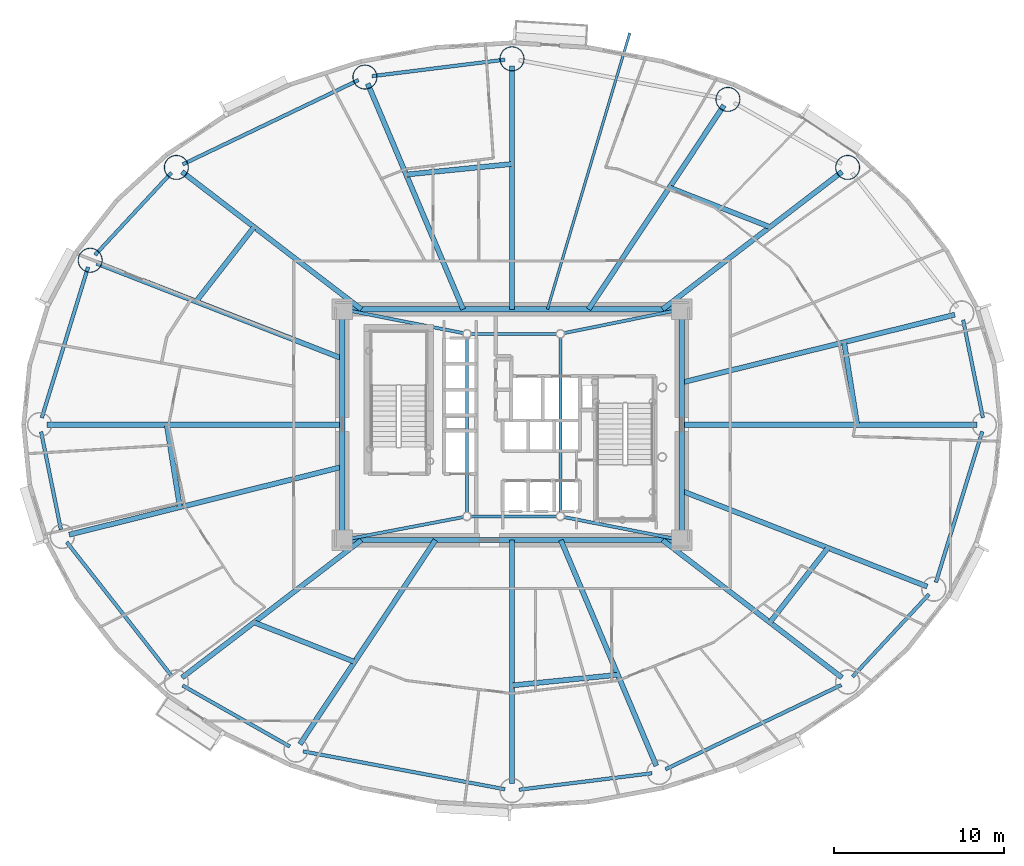
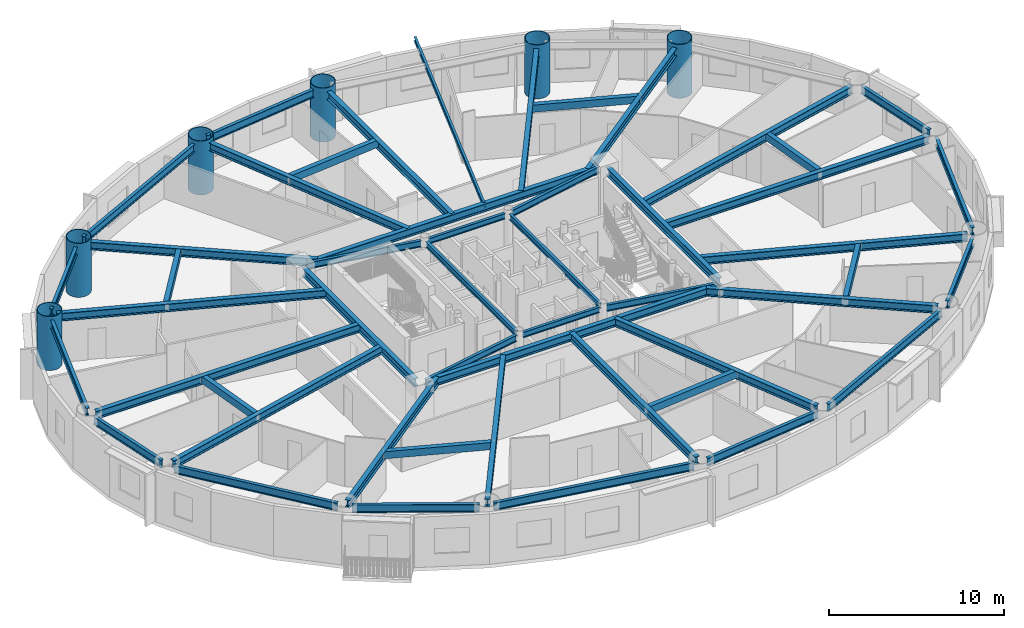
# One storey, part 3 of 22: 50 beams, 6 columns.
"""IFC4 building model written with IfcOpenShell, lengths in metres."""

from ifc_helpers import new_model, si_unit, direction, frame, origin, origin_2d, place, context, subcontext, project, spatial, hollow_rectangle, hollow_circle, i_section, extrude, material, material_profile, profile_set, type_object, element, save


model = new_model("IFC4")

# Units and contexts
model_context = context("Model", 3, precision=1e-05, world=origin(), true_north=direction((0.0, 1.0)))
body_context = subcontext(model_context, "Body", "Model", "MODEL_VIEW")
ifc_project = project(units=[si_unit("LENGTHUNIT", "METRE"), si_unit("AREAUNIT", "SQUARE_METRE"), si_unit("VOLUMEUNIT", "CUBIC_METRE"), si_unit("PLANEANGLEUNIT", "RADIAN"), si_unit("MASSUNIT", "GRAM", prefix="KILO")], contexts=[model_context])

# Site, building, storey
site_placement = place(None, origin())
site = spatial("IfcSite", under=ifc_project, at=site_placement, CompositionType="ELEMENT")
building_placement = place(site_placement, origin())
building = spatial("IfcBuilding", under=site, at=building_placement, Name="Linh Dai School and Residence Tower", CompositionType="ELEMENT")
storey_placement = place(building_placement, frame((0.0, 0.0, 130.949951171875)))
storey = spatial("IfcBuildingStorey", under=building, at=storey_placement, Name="L31", CompositionType="ELEMENT", Elevation=130.949951171875)

# Columns
ifc_material = material(Name="Structural Steel S355JR", Category="steel")
ifc_material_profile_1 = material_profile(ifc_material, hollow_circle(Radius=0.72509765625, WallThickness=0.0419921875, at=origin_2d()), Name="CHS 1450x42")
ifc_profile_set_1 = profile_set([ifc_material_profile_1], Name="Structural Steel S355JR")
column_type = type_object("IfcColumnType", Name="COL-MC3", PredefinedType="COLUMN", material=ifc_profile_set_1)
for number, where, z_axis, x_axis, name in (
    (1, (55.772705078125, 42.155517578125, 0.0), (0.0, 0.0, 1.0), (1.0, 0.0, 0.0), "L31 Perimeter CFT Mega-Column MC03"),
    (2, (48.721923828125, 46.1650390625, 0.0), (0.0, 0.0, 1.0), (1.0, 0.0, 0.0), "L31 Perimeter CFT Mega-Column MC04"),
    (3, (36.0, 48.554931640625, 0.0), (0.0, 0.0, 1.0), (1.0, 0.0, 0.0), "L31 Perimeter CFT Mega-Column MC05"),
    (4, (27.33447265625, 47.480712890625, 0.0), (0.0, 0.0, 1.0), (1.0, 0.0, 0.0), "L31 Perimeter CFT Mega-Column MC06"),
    (5, (16.227294921875, 42.155517578125, 0.0), (0.0, 0.0, 1.0), (1.0, 0.0, 0.0), "L31 Perimeter CFT Mega-Column MC07"),
    (6, (11.15087890625, 36.6875, 0.0), (0.0, 0.0, 1.0), (1.0, 0.0, 0.0), "L31 Perimeter CFT Mega-Column MC08"),
):
    element("IfcColumn", number, at=place(storey_placement, frame(where, z_axis=z_axis, x_axis=x_axis)), inside=storey, type_object=column_type, Name=name, PredefinedType="COLUMN", context=body_context, shape_type="SweptSolid", body=[
        extrude(hollow_circle(Radius=0.72509765625, WallThickness=0.0419921875, at=origin_2d()), origin(), (0.0, 0.0, 1.0), 3.75),
    ])

# Beams
ifc_material_profile_2 = material_profile(ifc_material, i_section(OverallWidth=0.14990234375, OverallDepth=0.300048828125, WebThickness=0.007080078125, FlangeThickness=0.0107421875, at=origin_2d()), Name="IPE 300")
ifc_profile_set_2 = profile_set([ifc_material_profile_2], Name="Structural Steel S355JR")
beam_type_1 = type_object("IfcBeamType", Name="BM-BALC-CANT", PredefinedType="BEAM", material=ifc_profile_set_2)
beam_1_placement = place(storey_placement, frame((38.08935546875, 33.800048828125, 3.35009765625), z_axis=(0.285602713269, 0.958348104904, 0.0), x_axis=(-0.958348104904, 0.285602713269, 0.0)))
element("IfcBeam", 7, at=beam_1_placement, inside=storey, type_object=beam_type_1, Name="L32 Balcony Continuous Cantilever Beam 09", PredefinedType="BEAM", context=body_context, shape_type="SweptSolid", body=[
    extrude(i_section(OverallWidth=0.14990234375, OverallDepth=0.300048828125, WebThickness=0.007080078125, FlangeThickness=0.0107421875, at=origin_2d()), origin(), (0.0, 0.0, 1.0), 16.984619140625),
])
ifc_material_profile_3 = material_profile(ifc_material, hollow_rectangle(XDim=0.300048828125, YDim=0.5, WallThickness=0.01611328125, at=origin_2d()), Name="RHS 500x300x16")
ifc_profile_set_3 = profile_set([ifc_material_profile_3], Name="Structural Steel S355JR")
beam_type_2 = type_object("IfcBeamType", Name="BM-BX5", PredefinedType="BEAM", material=ifc_profile_set_3)
beam_2_placement = place(storey_placement, frame((56.337646484375, 27.0048828125, 3.25), z_axis=(-0.157026901302, 0.987594325757, 0.0), x_axis=(-0.987594325757, -0.157026901302, 0.0)))
element("IfcBeam", 8, at=beam_2_placement, inside=storey, type_object=beam_type_2, Name="L31 Secondary Circumferential Floor Beam 01", PredefinedType="BEAM", context=body_context, shape_type="SweptSolid", body=[
    extrude(hollow_rectangle(XDim=0.300048828125, YDim=0.5, WallThickness=0.01611328125, at=origin_2d()), origin(), (0.0, 0.0, 1.0), 4.91162109375),
])
beam_3_placement = place(storey_placement, frame((51.189453125, 38.64794921875, 3.25), z_axis=(-0.930742146732, 0.365676163151, 0.0), x_axis=(-0.365676163151, -0.930742146732, 0.0)))
element("IfcBeam", 9, at=beam_3_placement, inside=storey, type_object=beam_type_2, Name="L31 Secondary Circumferential Floor Beam 02", PredefinedType="BEAM", context=body_context, shape_type="SweptSolid", body=[
    extrude(hollow_rectangle(XDim=0.300048828125, YDim=0.5, WallThickness=0.01611328125, at=origin_2d()), origin(), (0.0, 0.0, 1.0), 6.349853515625),
])
beam_4_placement = place(storey_placement, frame((35.9951171875, 42.357421875, 3.25), z_axis=(-0.995043370853, -0.099441893196, 0.0), x_axis=(0.099441893196, -0.995043370853, 0.0)))
element("IfcBeam", 10, at=beam_4_placement, inside=storey, type_object=beam_type_2, Name="L31 Secondary Circumferential Floor Beam 03", PredefinedType="BEAM", context=body_context, shape_type="SweptSolid", body=[
    extrude(hollow_rectangle(XDim=0.300048828125, YDim=0.5, WallThickness=0.01611328125, at=origin_2d()), origin(), (0.0, 0.0, 1.0), 6.255615234375),
])
beam_5_placement = place(storey_placement, frame((20.802734375, 38.64208984375, 3.25), z_axis=(-0.614369629322, -0.789018351223, 0.0), x_axis=(0.789018351223, -0.614369629322, 0.0)))
element("IfcBeam", 11, at=beam_5_placement, inside=storey, type_object=beam_type_2, Name="L31 Secondary Circumferential Floor Beam 04", PredefinedType="BEAM", context=body_context, shape_type="SweptSolid", body=[
    extrude(hollow_rectangle(XDim=0.300048828125, YDim=0.5, WallThickness=0.01611328125, at=origin_2d()), origin(), (0.0, 0.0, 1.0), 5.553955078125),
])
beam_6_placement = place(storey_placement, frame((15.662353515625, 26.9951171875, 3.25), z_axis=(0.157026901302, -0.987594325757, 0.0), x_axis=(0.987594325757, 0.157026901302, 0.0)))
element("IfcBeam", 12, at=beam_6_placement, inside=storey, type_object=beam_type_2, Name="L31 Secondary Circumferential Floor Beam 05", PredefinedType="BEAM", context=body_context, shape_type="SweptSolid", body=[
    extrude(hollow_rectangle(XDim=0.300048828125, YDim=0.5, WallThickness=0.01611328125, at=origin_2d()), origin(), (0.0, 0.0, 1.0), 4.91162109375),
])
beam_7_placement = place(storey_placement, frame((20.810546875, 15.35205078125, 3.25), z_axis=(0.930742146732, -0.365676163151, 0.0), x_axis=(0.365676163151, 0.930742146732, 0.0)))
element("IfcBeam", 13, at=beam_7_placement, inside=storey, type_object=beam_type_2, Name="L31 Secondary Circumferential Floor Beam 06", PredefinedType="BEAM", context=body_context, shape_type="SweptSolid", body=[
    extrude(hollow_rectangle(XDim=0.300048828125, YDim=0.5, WallThickness=0.01611328125, at=origin_2d()), origin(), (0.0, 0.0, 1.0), 6.349853515625),
])
beam_8_placement = place(storey_placement, frame((36.0048828125, 11.642578125, 3.25), z_axis=(0.995043370853, 0.099441893196, 0.0), x_axis=(-0.099441893196, 0.995043370853, 0.0)))
element("IfcBeam", 14, at=beam_8_placement, inside=storey, type_object=beam_type_2, Name="L31 Secondary Circumferential Floor Beam 07", PredefinedType="BEAM", context=body_context, shape_type="SweptSolid", body=[
    extrude(hollow_rectangle(XDim=0.300048828125, YDim=0.5, WallThickness=0.01611328125, at=origin_2d()), origin(), (0.0, 0.0, 1.0), 6.255615234375),
])
beam_9_placement = place(storey_placement, frame((51.197265625, 15.35791015625, 3.25), z_axis=(0.614369629322, 0.789018351223, 0.0), x_axis=(-0.789018351223, 0.614369629322, 0.0)))
element("IfcBeam", 15, at=beam_9_placement, inside=storey, type_object=beam_type_2, Name="L31 Secondary Circumferential Floor Beam 08", PredefinedType="BEAM", context=body_context, shape_type="SweptSolid", body=[
    extrude(hollow_rectangle(XDim=0.300048828125, YDim=0.5, WallThickness=0.01611328125, at=origin_2d()), origin(), (0.0, 0.0, 1.0), 5.553955078125),
])
ifc_material_profile_4 = material_profile(ifc_material, i_section(OverallWidth=0.2099609375, OverallDepth=0.550048828125, WebThickness=0.010986328125, FlangeThickness=0.01708984375, FilletRadius=0.02392578125, at=origin_2d()), Name="IPE 550")
ifc_profile_set_4 = profile_set([ifc_material_profile_4], Name="Structural Steel S355JR")
beam_type_3 = type_object("IfcBeamType", Name="BM-RB55", PredefinedType="BEAM", material=ifc_profile_set_4)
beam_10_placement = place(storey_placement, frame((63.74169921875, 27.41162109375, 3.22509765625), z_axis=(-0.198441254313, 0.980112783605, 0.0), x_axis=(-0.980112783605, -0.198441254313, 0.0)))
element("IfcBeam", 16, at=beam_10_placement, inside=storey, type_object=beam_type_3, Name="L31 Perimeter Elliptical Ring Beam 01", PredefinedType="BEAM", context=body_context, shape_type="SweptSolid", body=[
    extrude(i_section(OverallWidth=0.2099609375, OverallDepth=0.550048828125, WebThickness=0.010986328125, FlangeThickness=0.01708984375, FilletRadius=0.02392578125, at=origin_2d()), origin(), (0.0, 0.0, 1.0), 5.874755859375),
])
beam_11_placement = place(storey_placement, frame((35.583251953125, 48.50341796875, 3.22509765625), z_axis=(-0.992399234854, -0.123059979933, 0.0), x_axis=(0.123059979933, -0.992399234854, 0.0)))
element("IfcBeam", 17, at=beam_11_placement, inside=storey, type_object=beam_type_3, Name="L31 Perimeter Elliptical Ring Beam 05", PredefinedType="BEAM", context=body_context, shape_type="SweptSolid", body=[
    extrude(i_section(OverallWidth=0.2099609375, OverallDepth=0.550048828125, WebThickness=0.010986328125, FlangeThickness=0.01708984375, FilletRadius=0.02392578125, at=origin_2d()), origin(), (0.0, 0.0, 1.0), 7.89208984375),
])
beam_12_placement = place(storey_placement, frame((26.955810546875, 47.299072265625, 3.22509765625), z_axis=(-0.901715153312, -0.432330640005, 0.0), x_axis=(0.432330640005, -0.901715153312, 0.0)))
element("IfcBeam", 18, at=beam_12_placement, inside=storey, type_object=beam_type_3, Name="L31 Perimeter Elliptical Ring Beam 06", PredefinedType="BEAM", context=body_context, shape_type="SweptSolid", body=[
    extrude(i_section(OverallWidth=0.2099609375, OverallDepth=0.550048828125, WebThickness=0.010986328125, FlangeThickness=0.01708984375, FilletRadius=0.02392578125, at=origin_2d()), origin(), (0.0, 0.0, 1.0), 11.477783203125),
])
beam_13_placement = place(storey_placement, frame((15.941650390625, 41.84765625, 3.22509765625), z_axis=(-0.680384623752, -0.732855213369, 0.0), x_axis=(0.732855213369, -0.680384623752, 0.0)))
element("IfcBeam", 19, at=beam_13_placement, inside=storey, type_object=beam_type_3, Name="L31 Perimeter Elliptical Ring Beam 07", PredefinedType="BEAM", context=body_context, shape_type="SweptSolid", body=[
    extrude(i_section(OverallWidth=0.2099609375, OverallDepth=0.550048828125, WebThickness=0.010986328125, FlangeThickness=0.01708984375, FilletRadius=0.02392578125, at=origin_2d()), origin(), (0.0, 0.0, 1.0), 6.62109375),
])
beam_14_placement = place(storey_placement, frame((11.027587890625, 36.2861328125, 3.22509765625), z_axis=(-0.29364097848, -0.95591577859, 0.0), x_axis=(0.95591577859, -0.29364097848, 0.0)))
element("IfcBeam", 20, at=beam_14_placement, inside=storey, type_object=beam_type_3, Name="L31 Perimeter Elliptical Ring Beam 08", PredefinedType="BEAM", context=body_context, shape_type="SweptSolid", body=[
    extrude(i_section(OverallWidth=0.2099609375, OverallDepth=0.550048828125, WebThickness=0.010986328125, FlangeThickness=0.01708984375, FilletRadius=0.02392578125, at=origin_2d()), origin(), (0.0, 0.0, 1.0), 9.29443359375),
])
beam_15_placement = place(storey_placement, frame((8.25830078125, 26.58837890625, 3.22509765625), z_axis=(0.198441254313, -0.980112783605, 0.0), x_axis=(0.980112783605, 0.198441254313, 0.0)))
element("IfcBeam", 21, at=beam_15_placement, inside=storey, type_object=beam_type_3, Name="L31 Perimeter Elliptical Ring Beam 09", PredefinedType="BEAM", context=body_context, shape_type="SweptSolid", body=[
    extrude(i_section(OverallWidth=0.2099609375, OverallDepth=0.550048828125, WebThickness=0.010986328125, FlangeThickness=0.01708984375, FilletRadius=0.02392578125, at=origin_2d()), origin(), (0.0, 0.0, 1.0), 5.874755859375),
])
beam_16_placement = place(storey_placement, frame((9.766357421875, 20.08837890625, 3.22509765625), z_axis=(0.616854830973, -0.787076945098, 0.0), x_axis=(0.787076945098, 0.616854830973, 0.0)))
element("IfcBeam", 22, at=beam_16_placement, inside=storey, type_object=beam_type_3, Name="L31 Perimeter Elliptical Ring Beam 10", PredefinedType="BEAM", context=body_context, shape_type="SweptSolid", body=[
    extrude(i_section(OverallWidth=0.2099609375, OverallDepth=0.550048828125, WebThickness=0.010986328125, FlangeThickness=0.01708984375, FilletRadius=0.02392578125, at=origin_2d()), origin(), (0.0, 0.0, 1.0), 10.053955078125),
])
beam_17_placement = place(storey_placement, frame((16.592529296875, 11.636962890625, 3.22509765625), z_axis=(0.86927031475, -0.494337050902, 0.0), x_axis=(0.494337050902, 0.86927031475, 0.0)))
element("IfcBeam", 23, at=beam_17_placement, inside=storey, type_object=beam_type_3, Name="L31 Perimeter Elliptical Ring Beam 11", PredefinedType="BEAM", context=body_context, shape_type="SweptSolid", body=[
    extrude(i_section(OverallWidth=0.2099609375, OverallDepth=0.550048828125, WebThickness=0.010986328125, FlangeThickness=0.01708984375, FilletRadius=0.02392578125, at=origin_2d()), origin(), (0.0, 0.0, 1.0), 7.270751953125),
])
beam_18_placement = place(storey_placement, frame((23.69091796875, 7.75732421875, 3.22509765625), z_axis=(0.982807507457, -0.184633158685, 0.0), x_axis=(0.184633158685, 0.982807507457, 0.0)))
element("IfcBeam", 24, at=beam_18_placement, inside=storey, type_object=beam_type_3, Name="L31 Perimeter Elliptical Ring Beam 12", PredefinedType="BEAM", context=body_context, shape_type="SweptSolid", body=[
    extrude(i_section(OverallWidth=0.2099609375, OverallDepth=0.550048828125, WebThickness=0.010986328125, FlangeThickness=0.01708984375, FilletRadius=0.02392578125, at=origin_2d()), origin(), (0.0, 0.0, 1.0), 12.104248046875),
])
beam_19_placement = place(storey_placement, frame((36.416748046875, 5.49658203125, 3.22509765625), z_axis=(0.992399234854, 0.123059979933, 0.0), x_axis=(-0.123059979933, 0.992399234854, 0.0)))
element("IfcBeam", 25, at=beam_19_placement, inside=storey, type_object=beam_type_3, Name="L31 Perimeter Elliptical Ring Beam 13", PredefinedType="BEAM", context=body_context, shape_type="SweptSolid", body=[
    extrude(i_section(OverallWidth=0.2099609375, OverallDepth=0.550048828125, WebThickness=0.010986328125, FlangeThickness=0.01708984375, FilletRadius=0.02392578125, at=origin_2d()), origin(), (0.0, 0.0, 1.0), 7.89208984375),
])
beam_20_placement = place(storey_placement, frame((45.044189453125, 6.700927734375, 3.22509765625), z_axis=(0.901715153312, 0.432330640005, 0.0), x_axis=(-0.432330640005, 0.901715153312, 0.0)))
element("IfcBeam", 26, at=beam_20_placement, inside=storey, type_object=beam_type_3, Name="L31 Perimeter Elliptical Ring Beam 14", PredefinedType="BEAM", context=body_context, shape_type="SweptSolid", body=[
    extrude(i_section(OverallWidth=0.2099609375, OverallDepth=0.550048828125, WebThickness=0.010986328125, FlangeThickness=0.01708984375, FilletRadius=0.02392578125, at=origin_2d()), origin(), (0.0, 0.0, 1.0), 11.477783203125),
])
beam_21_placement = place(storey_placement, frame((56.058349609375, 12.15234375, 3.22509765625), z_axis=(0.680384623752, 0.732855213369, 0.0), x_axis=(-0.732855213369, 0.680384623752, 0.0)))
element("IfcBeam", 27, at=beam_21_placement, inside=storey, type_object=beam_type_3, Name="L31 Perimeter Elliptical Ring Beam 15", PredefinedType="BEAM", context=body_context, shape_type="SweptSolid", body=[
    extrude(i_section(OverallWidth=0.2099609375, OverallDepth=0.550048828125, WebThickness=0.010986328125, FlangeThickness=0.01708984375, FilletRadius=0.02392578125, at=origin_2d()), origin(), (0.0, 0.0, 1.0), 6.62109375),
])
beam_22_placement = place(storey_placement, frame((60.972412109375, 17.7138671875, 3.22509765625), z_axis=(0.29364097848, 0.95591577859, 0.0), x_axis=(-0.95591577859, 0.29364097848, 0.0)))
element("IfcBeam", 28, at=beam_22_placement, inside=storey, type_object=beam_type_3, Name="L31 Perimeter Elliptical Ring Beam 16", PredefinedType="BEAM", context=body_context, shape_type="SweptSolid", body=[
    extrude(i_section(OverallWidth=0.2099609375, OverallDepth=0.550048828125, WebThickness=0.010986328125, FlangeThickness=0.01708984375, FilletRadius=0.02392578125, at=origin_2d()), origin(), (0.0, 0.0, 1.0), 9.29443359375),
])
ifc_material_profile_5 = material_profile(ifc_material, i_section(OverallWidth=0.300048828125, OverallDepth=0.550048828125, WebThickness=0.014892578125, FlangeThickness=0.029052734375, FilletRadius=0.027099609375, at=origin_2d()), Name="HEB 550")
ifc_profile_set_5 = profile_set([ifc_material_profile_5], Name="Structural Steel S355JR")
beam_type_4 = type_object("IfcBeamType", Name="BM-RG55", PredefinedType="BEAM", material=ifc_profile_set_5)
beam_23_placement = place(storey_placement, frame((26.419921875, 20.199951171875, 3.22509765625), z_axis=(1.0, 0.0, 0.0), x_axis=(0.0, 1.0, 0.0)))
element("IfcBeam", 29, at=beam_23_placement, inside=storey, type_object=beam_type_4, Name="L31 Core Perimeter Coupling Girder 1", PredefinedType="BEAM", context=body_context, shape_type="SweptSolid", body=[
    extrude(i_section(OverallWidth=0.300048828125, OverallDepth=0.550048828125, WebThickness=0.014892578125, FlangeThickness=0.029052734375, FilletRadius=0.027099609375, at=origin_2d()), origin(), (0.0, 0.0, 1.0), 19.16015625),
])
beam_24_placement = place(storey_placement, frame((46.0, 20.6201171875, 3.22509765625), z_axis=(0.0, 1.0, 0.0), x_axis=(-1.0, 0.0, 0.0)))
element("IfcBeam", 30, at=beam_24_placement, inside=storey, type_object=beam_type_4, Name="L31 Core Perimeter Coupling Girder 2", PredefinedType="BEAM", context=body_context, shape_type="SweptSolid", body=[
    extrude(i_section(OverallWidth=0.300048828125, OverallDepth=0.550048828125, WebThickness=0.014892578125, FlangeThickness=0.029052734375, FilletRadius=0.027099609375, at=origin_2d()), origin(), (0.0, 0.0, 1.0), 12.759765625),
])
beam_25_placement = place(storey_placement, frame((45.580078125, 33.800048828125, 3.22509765625), z_axis=(-1.0, 0.0, 0.0), x_axis=(0.0, -1.0, 0.0)))
element("IfcBeam", 31, at=beam_25_placement, inside=storey, type_object=beam_type_4, Name="L31 Core Perimeter Coupling Girder 3", PredefinedType="BEAM", context=body_context, shape_type="SweptSolid", body=[
    extrude(i_section(OverallWidth=0.300048828125, OverallDepth=0.550048828125, WebThickness=0.014892578125, FlangeThickness=0.029052734375, FilletRadius=0.027099609375, at=origin_2d()), origin(), (0.0, 0.0, 1.0), 19.16015625),
])
beam_26_placement = place(storey_placement, frame((26.0, 33.3798828125, 3.22509765625), z_axis=(0.0, -1.0, 0.0), x_axis=(1.0, 0.0, 0.0)))
element("IfcBeam", 32, at=beam_26_placement, inside=storey, type_object=beam_type_4, Name="L31 Core Perimeter Coupling Girder 4", PredefinedType="BEAM", context=body_context, shape_type="SweptSolid", body=[
    extrude(i_section(OverallWidth=0.300048828125, OverallDepth=0.550048828125, WebThickness=0.014892578125, FlangeThickness=0.029052734375, FilletRadius=0.027099609375, at=origin_2d()), origin(), (0.0, 0.0, 1.0), 12.759765625),
])
beam_27_placement = place(storey_placement, frame((46.0, 27.0, 3.22509765625), z_axis=(1.0, 0.0, 0.0), x_axis=(0.0, 1.0, 0.0)))
element("IfcBeam", 33, at=beam_27_placement, inside=storey, type_object=beam_type_4, Name="L31 Primary Radial Floor Girder 01", PredefinedType="BEAM", context=body_context, shape_type="SweptSolid", body=[
    extrude(i_section(OverallWidth=0.300048828125, OverallDepth=0.550048828125, WebThickness=0.014892578125, FlangeThickness=0.029052734375, FilletRadius=0.027099609375, at=origin_2d()), origin(), (0.0, 0.0, 1.0), 17.405029296875),
])
beam_28_placement = place(storey_placement, frame((46.0, 29.484130859375, 3.22509765625), z_axis=(0.970505338376, 0.241079630379, 0.0), x_axis=(-0.241079630379, 0.970505338376, 0.0)))
element("IfcBeam", 34, at=beam_28_placement, inside=storey, type_object=beam_type_4, Name="L31 Primary Radial Floor Girder 02", PredefinedType="BEAM", context=body_context, shape_type="SweptSolid", body=[
    extrude(i_section(OverallWidth=0.300048828125, OverallDepth=0.550048828125, WebThickness=0.014892578125, FlangeThickness=0.029052734375, FilletRadius=0.027099609375, at=origin_2d()), origin(), (0.0, 0.0, 1.0), 16.57373046875),
])
beam_29_placement = place(storey_placement, frame((44.87158203125, 33.800048828125, 3.22509765625), z_axis=(0.793678660795, 0.608337228352, 0.0), x_axis=(-0.608337228352, 0.793678660795, 0.0)))
element("IfcBeam", 35, at=beam_29_placement, inside=storey, type_object=beam_type_4, Name="L31 Primary Radial Floor Girder 03", PredefinedType="BEAM", context=body_context, shape_type="SweptSolid", body=[
    extrude(i_section(OverallWidth=0.300048828125, OverallDepth=0.550048828125, WebThickness=0.014892578125, FlangeThickness=0.029052734375, FilletRadius=0.027099609375, at=origin_2d()), origin(), (0.0, 0.0, 1.0), 13.314697265625),
])
beam_30_placement = place(storey_placement, frame((40.513916015625, 33.800048828125, 3.22509765625), z_axis=(0.553054392401, 0.833145148846, 0.0), x_axis=(-0.833145148846, 0.553054392401, 0.0)))
element("IfcBeam", 36, at=beam_30_placement, inside=storey, type_object=beam_type_4, Name="L31 Primary Radial Floor Girder 04", PredefinedType="BEAM", context=body_context, shape_type="SweptSolid", body=[
    extrude(i_section(OverallWidth=0.300048828125, OverallDepth=0.550048828125, WebThickness=0.014892578125, FlangeThickness=0.029052734375, FilletRadius=0.027099609375, at=origin_2d()), origin(), (0.0, 0.0, 1.0), 14.42138671875),
])
beam_31_placement = place(storey_placement, frame((36.0, 33.800048828125, 3.22509765625), z_axis=(0.0, 1.0, 0.0), x_axis=(-1.0, 0.0, 0.0)))
element("IfcBeam", 37, at=beam_31_placement, inside=storey, type_object=beam_type_4, Name="L31 Primary Radial Floor Girder 05", PredefinedType="BEAM", context=body_context, shape_type="SweptSolid", body=[
    extrude(i_section(OverallWidth=0.300048828125, OverallDepth=0.550048828125, WebThickness=0.014892578125, FlangeThickness=0.029052734375, FilletRadius=0.027099609375, at=origin_2d()), origin(), (0.0, 0.0, 1.0), 14.3349609375),
])
beam_32_placement = place(storey_placement, frame((33.122802734375, 33.800048828125, 3.22509765625), z_axis=(-0.389669233739, 0.920954878524, 0.0), x_axis=(-0.920954878524, -0.389669233739, 0.0)))
element("IfcBeam", 38, at=beam_32_placement, inside=storey, type_object=beam_type_4, Name="L31 Primary Radial Floor Girder 06", PredefinedType="BEAM", context=body_context, shape_type="SweptSolid", body=[
    extrude(i_section(OverallWidth=0.300048828125, OverallDepth=0.550048828125, WebThickness=0.014892578125, FlangeThickness=0.029052734375, FilletRadius=0.027099609375, at=origin_2d()), origin(), (0.0, 0.0, 1.0), 14.434814453125),
])
beam_33_placement = place(storey_placement, frame((27.12841796875, 33.800048828125, 3.22509765625), z_axis=(-0.793678660795, 0.608337228352, 0.0), x_axis=(-0.608337228352, -0.793678660795, 0.0)))
element("IfcBeam", 39, at=beam_33_placement, inside=storey, type_object=beam_type_4, Name="L31 Primary Radial Floor Girder 07", PredefinedType="BEAM", context=body_context, shape_type="SweptSolid", body=[
    extrude(i_section(OverallWidth=0.300048828125, OverallDepth=0.550048828125, WebThickness=0.014892578125, FlangeThickness=0.029052734375, FilletRadius=0.027099609375, at=origin_2d()), origin(), (0.0, 0.0, 1.0), 13.314697265625),
])
beam_34_placement = place(storey_placement, frame((26.0, 30.8984375, 3.22509765625), z_axis=(-0.931699338449, 0.363230426498, 0.0), x_axis=(-0.363230426498, -0.931699338449, 0.0)))
element("IfcBeam", 40, at=beam_34_placement, inside=storey, type_object=beam_type_4, Name="L31 Primary Radial Floor Girder 08", PredefinedType="BEAM", context=body_context, shape_type="SweptSolid", body=[
    extrude(i_section(OverallWidth=0.300048828125, OverallDepth=0.550048828125, WebThickness=0.014892578125, FlangeThickness=0.029052734375, FilletRadius=0.027099609375, at=origin_2d()), origin(), (0.0, 0.0, 1.0), 15.517578125),
])
beam_35_placement = place(storey_placement, frame((26.0, 27.0, 3.22509765625), z_axis=(-1.0, 0.0, 0.0), x_axis=(0.0, -1.0, 0.0)))
element("IfcBeam", 41, at=beam_35_placement, inside=storey, type_object=beam_type_4, Name="L31 Primary Radial Floor Girder 09", PredefinedType="BEAM", context=body_context, shape_type="SweptSolid", body=[
    extrude(i_section(OverallWidth=0.300048828125, OverallDepth=0.550048828125, WebThickness=0.014892578125, FlangeThickness=0.029052734375, FilletRadius=0.027099609375, at=origin_2d()), origin(), (0.0, 0.0, 1.0), 17.405029296875),
])
beam_36_placement = place(storey_placement, frame((26.0, 24.515869140625, 3.22509765625), z_axis=(-0.970505338376, -0.241079630379, 0.0), x_axis=(0.241079630379, -0.970505338376, 0.0)))
element("IfcBeam", 42, at=beam_36_placement, inside=storey, type_object=beam_type_4, Name="L31 Primary Radial Floor Girder 10", PredefinedType="BEAM", context=body_context, shape_type="SweptSolid", body=[
    extrude(i_section(OverallWidth=0.300048828125, OverallDepth=0.550048828125, WebThickness=0.014892578125, FlangeThickness=0.029052734375, FilletRadius=0.027099609375, at=origin_2d()), origin(), (0.0, 0.0, 1.0), 16.57373046875),
])
beam_37_placement = place(storey_placement, frame((27.12841796875, 20.199951171875, 3.22509765625), z_axis=(-0.793678660795, -0.608337228352, 0.0), x_axis=(0.608337228352, -0.793678660795, 0.0)))
element("IfcBeam", 43, at=beam_37_placement, inside=storey, type_object=beam_type_4, Name="L31 Primary Radial Floor Girder 11", PredefinedType="BEAM", context=body_context, shape_type="SweptSolid", body=[
    extrude(i_section(OverallWidth=0.300048828125, OverallDepth=0.550048828125, WebThickness=0.014892578125, FlangeThickness=0.029052734375, FilletRadius=0.027099609375, at=origin_2d()), origin(), (0.0, 0.0, 1.0), 13.314697265625),
])
beam_38_placement = place(storey_placement, frame((31.486083984375, 20.199951171875, 3.22509765625), z_axis=(-0.553054392401, -0.833145148846, 0.0), x_axis=(0.833145148846, -0.553054392401, 0.0)))
element("IfcBeam", 44, at=beam_38_placement, inside=storey, type_object=beam_type_4, Name="L31 Primary Radial Floor Girder 12", PredefinedType="BEAM", context=body_context, shape_type="SweptSolid", body=[
    extrude(i_section(OverallWidth=0.300048828125, OverallDepth=0.550048828125, WebThickness=0.014892578125, FlangeThickness=0.029052734375, FilletRadius=0.027099609375, at=origin_2d()), origin(), (0.0, 0.0, 1.0), 14.42138671875),
])
beam_39_placement = place(storey_placement, frame((36.0, 20.199951171875, 3.22509765625), z_axis=(0.0, -1.0, 0.0), x_axis=(1.0, 0.0, 0.0)))
element("IfcBeam", 45, at=beam_39_placement, inside=storey, type_object=beam_type_4, Name="L31 Primary Radial Floor Girder 13", PredefinedType="BEAM", context=body_context, shape_type="SweptSolid", body=[
    extrude(i_section(OverallWidth=0.300048828125, OverallDepth=0.550048828125, WebThickness=0.014892578125, FlangeThickness=0.029052734375, FilletRadius=0.027099609375, at=origin_2d()), origin(), (0.0, 0.0, 1.0), 14.3349609375),
])
beam_40_placement = place(storey_placement, frame((38.877197265625, 20.199951171875, 3.22509765625), z_axis=(0.389669233739, -0.920954878524, 0.0), x_axis=(0.920954878524, 0.389669233739, 0.0)))
element("IfcBeam", 46, at=beam_40_placement, inside=storey, type_object=beam_type_4, Name="L31 Primary Radial Floor Girder 14", PredefinedType="BEAM", context=body_context, shape_type="SweptSolid", body=[
    extrude(i_section(OverallWidth=0.300048828125, OverallDepth=0.550048828125, WebThickness=0.014892578125, FlangeThickness=0.029052734375, FilletRadius=0.027099609375, at=origin_2d()), origin(), (0.0, 0.0, 1.0), 14.434814453125),
])
beam_41_placement = place(storey_placement, frame((44.87158203125, 20.199951171875, 3.22509765625), z_axis=(0.793678660795, -0.608337228352, 0.0), x_axis=(0.608337228352, 0.793678660795, 0.0)))
element("IfcBeam", 47, at=beam_41_placement, inside=storey, type_object=beam_type_4, Name="L31 Primary Radial Floor Girder 15", PredefinedType="BEAM", context=body_context, shape_type="SweptSolid", body=[
    extrude(i_section(OverallWidth=0.300048828125, OverallDepth=0.550048828125, WebThickness=0.014892578125, FlangeThickness=0.029052734375, FilletRadius=0.027099609375, at=origin_2d()), origin(), (0.0, 0.0, 1.0), 13.314697265625),
])
beam_42_placement = place(storey_placement, frame((46.0, 23.1015625, 3.22509765625), z_axis=(0.931699338449, -0.363230426498, 0.0), x_axis=(0.363230426498, 0.931699338449, 0.0)))
element("IfcBeam", 48, at=beam_42_placement, inside=storey, type_object=beam_type_4, Name="L31 Primary Radial Floor Girder 16", PredefinedType="BEAM", context=body_context, shape_type="SweptSolid", body=[
    extrude(i_section(OverallWidth=0.300048828125, OverallDepth=0.550048828125, WebThickness=0.014892578125, FlangeThickness=0.029052734375, FilletRadius=0.027099609375, at=origin_2d()), origin(), (0.0, 0.0, 1.0), 15.517578125),
])
ifc_material_profile_6 = material_profile(ifc_material, i_section(OverallWidth=0.179931640625, OverallDepth=0.39990234375, WebThickness=0.008544921875, FlangeThickness=0.013427734375, FilletRadius=0.02099609375, at=origin_2d()), Name="IPE 400")
ifc_profile_set_6 = profile_set([ifc_material_profile_6], Name="Structural Steel S355JR")
beam_type_5 = type_object("IfcBeamType", Name="BM-SB40", PredefinedType="BEAM", material=ifc_profile_set_6)
beam_43_placement = place(storey_placement, frame((33.573974609375, 21.60009765625, 3.300048828125), z_axis=(1.0, 0.0, 0.0), x_axis=(0.0, 1.0, 0.0)))
element("IfcBeam", 49, at=beam_43_placement, inside=storey, type_object=beam_type_5, Name="L31 Core Mast Pier Tie Beam 1", PredefinedType="BEAM", context=body_context, shape_type="SweptSolid", body=[
    extrude(i_section(OverallWidth=0.179931640625, OverallDepth=0.39990234375, WebThickness=0.008544921875, FlangeThickness=0.013427734375, FilletRadius=0.02099609375, at=origin_2d()), origin(), (0.0, 0.0, 1.0), 5.052001953125),
])
beam_44_placement = place(storey_placement, frame((38.85009765625, 21.823974609375, 3.300048828125), z_axis=(0.0, 1.0, 0.0), x_axis=(-1.0, 0.0, 0.0)))
element("IfcBeam", 50, at=beam_44_placement, inside=storey, type_object=beam_type_5, Name="L31 Core Mast Pier Tie Beam 2", PredefinedType="BEAM", context=body_context, shape_type="SweptSolid", body=[
    extrude(i_section(OverallWidth=0.179931640625, OverallDepth=0.39990234375, WebThickness=0.008544921875, FlangeThickness=0.013427734375, FilletRadius=0.02099609375, at=origin_2d()), origin(), (0.0, 0.0, 1.0), 10.302001953125),
])
beam_45_placement = place(storey_placement, frame((38.6259765625, 32.35009765625, 3.300048828125), z_axis=(-1.0, 0.0, 0.0), x_axis=(0.0, -1.0, 0.0)))
element("IfcBeam", 51, at=beam_45_placement, inside=storey, type_object=beam_type_5, Name="L31 Core Mast Pier Tie Beam 3", PredefinedType="BEAM", context=body_context, shape_type="SweptSolid", body=[
    extrude(i_section(OverallWidth=0.179931640625, OverallDepth=0.39990234375, WebThickness=0.008544921875, FlangeThickness=0.013427734375, FilletRadius=0.02099609375, at=origin_2d()), origin(), (0.0, 0.0, 1.0), 5.052001953125),
])
beam_46_placement = place(storey_placement, frame((33.35009765625, 32.1259765625, 3.300048828125), z_axis=(0.0, -1.0, 0.0), x_axis=(1.0, 0.0, 0.0)))
element("IfcBeam", 52, at=beam_46_placement, inside=storey, type_object=beam_type_5, Name="L31 Core Mast Pier Tie Beam 4", PredefinedType="BEAM", context=body_context, shape_type="SweptSolid", body=[
    extrude(i_section(OverallWidth=0.179931640625, OverallDepth=0.39990234375, WebThickness=0.008544921875, FlangeThickness=0.013427734375, FilletRadius=0.02099609375, at=origin_2d()), origin(), (0.0, 0.0, 1.0), 10.302001953125),
])
ifc_material_profile_7 = material_profile(ifc_material, i_section(OverallWidth=0.18994140625, OverallDepth=0.449951171875, WebThickness=0.009521484375, FlangeThickness=0.0146484375, FilletRadius=0.02099609375, at=origin_2d()), Name="IPE 450")
ifc_profile_set_7 = profile_set([ifc_material_profile_7], Name="Structural Steel S355JR")
beam_type_6 = type_object("IfcBeamType", Name="BM-SB45", PredefinedType="BEAM", material=ifc_profile_set_7)
beam_47_placement = place(storey_placement, frame((26.41259765625, 20.278564453125, 3.275146484375), z_axis=(0.982337003886, 0.187120311019, 0.0), x_axis=(-0.187120311019, 0.982337003886, 0.0)))
element("IfcBeam", 53, at=beam_47_placement, inside=storey, type_object=beam_type_6, Name="L31 Core Corner-to-Mast Pier Beam 1", PredefinedType="BEAM", context=body_context, shape_type="SweptSolid", body=[
    extrude(i_section(OverallWidth=0.18994140625, OverallDepth=0.449951171875, WebThickness=0.009521484375, FlangeThickness=0.0146484375, FilletRadius=0.02099609375, at=origin_2d()), origin(), (0.0, 0.0, 1.0), 6.838134765625),
])
beam_48_placement = place(storey_placement, frame((45.587890625, 20.28076171875, 3.275146484375), z_axis=(-0.981368554414, 0.192134745446, 0.0), x_axis=(-0.192134745446, -0.981368554414, 0.0)))
element("IfcBeam", 54, at=beam_48_placement, inside=storey, type_object=beam_type_6, Name="L31 Core Corner-to-Mast Pier Beam 2", PredefinedType="BEAM", context=body_context, shape_type="SweptSolid", body=[
    extrude(i_section(OverallWidth=0.18994140625, OverallDepth=0.449951171875, WebThickness=0.009521484375, FlangeThickness=0.0146484375, FilletRadius=0.02099609375, at=origin_2d()), origin(), (0.0, 0.0, 1.0), 6.641845703125),
])
beam_49_placement = place(storey_placement, frame((45.58837890625, 33.716552734375, 3.275146484375), z_axis=(-0.980049140776, -0.19875533116, 0.0), x_axis=(0.19875533116, -0.980049140776, 0.0)))
element("IfcBeam", 55, at=beam_49_placement, inside=storey, type_object=beam_type_6, Name="L31 Core Corner-to-Mast Pier Beam 3", PredefinedType="BEAM", context=body_context, shape_type="SweptSolid", body=[
    extrude(i_section(OverallWidth=0.18994140625, OverallDepth=0.449951171875, WebThickness=0.009521484375, FlangeThickness=0.0146484375, FilletRadius=0.02099609375, at=origin_2d()), origin(), (0.0, 0.0, 1.0), 6.651611328125),
])
beam_50_placement = place(storey_placement, frame((26.412109375, 33.71875, 3.275146484375), z_axis=(0.981087482999, -0.193564848828, 0.0), x_axis=(0.193564848828, 0.981087482999, 0.0)))
element("IfcBeam", 56, at=beam_50_placement, inside=storey, type_object=beam_type_6, Name="L31 Core Corner-to-Mast Pier Beam 4", PredefinedType="BEAM", context=body_context, shape_type="SweptSolid", body=[
    extrude(i_section(OverallWidth=0.18994140625, OverallDepth=0.449951171875, WebThickness=0.009521484375, FlangeThickness=0.0146484375, FilletRadius=0.02099609375, at=origin_2d()), origin(), (0.0, 0.0, 1.0), 6.847412109375),
])

save(model, "model.ifc")
